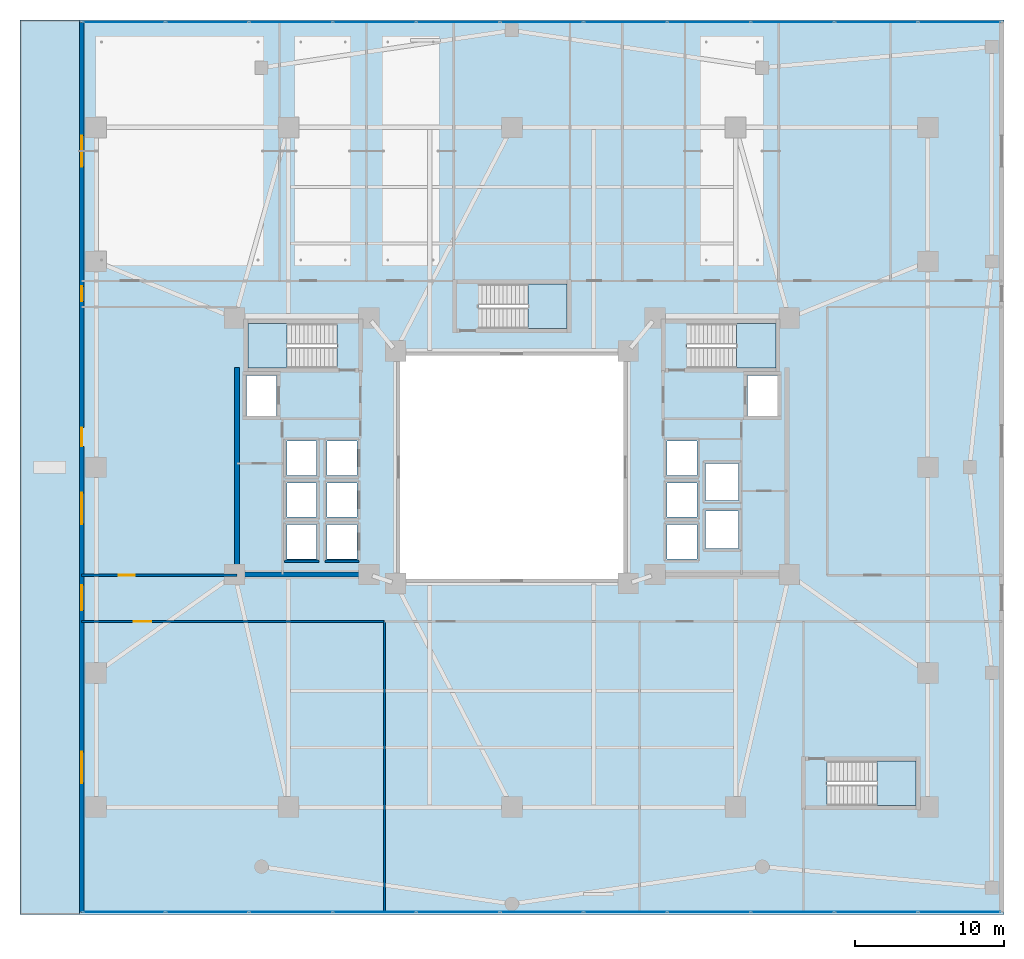
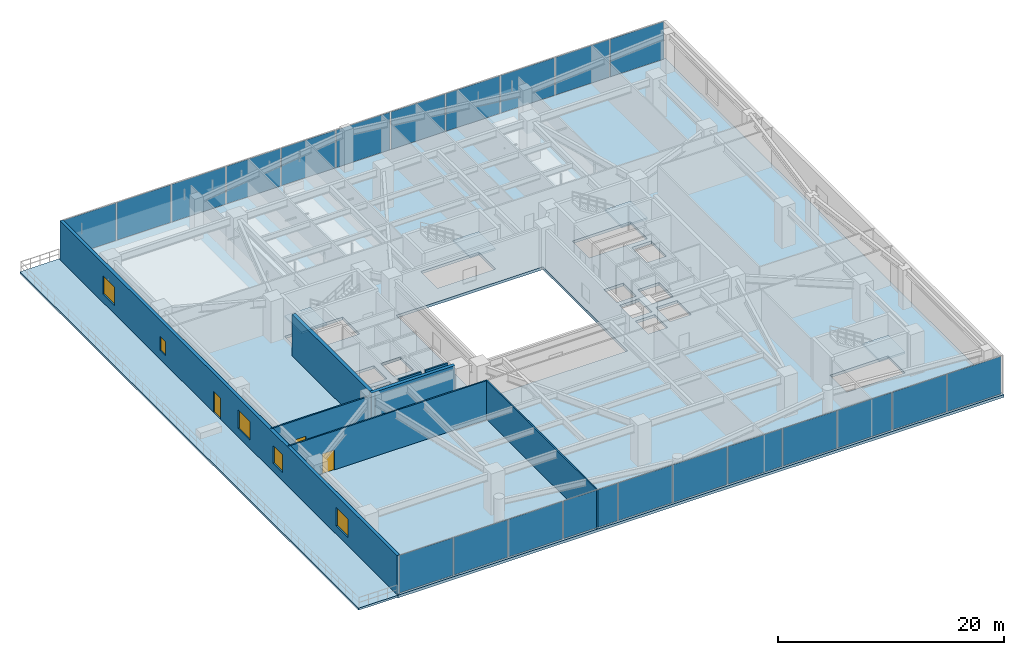
# One storey, part 18 of 29: 22 plates, 8 walls, 6 slabs, 5 windows, 3 doors, 8 openings, 6 elements without a shape of their own.
"""IFC4 building model written with IfcOpenShell, lengths in metres."""

from ifc_helpers import new_model, si_unit, direction, frame, frame_2d, origin, origin_2d, place, context, subcontext, project, spatial, polyline, rectangle, outline, extrude, material, layer, layer_set, type_object, element, fill, aggregate, save


model = new_model("IFC4")

# Units and contexts
model_context = context("Model", 3, precision=1e-05, world=origin(), true_north=direction((0.0, 1.0)))
body_context = subcontext(model_context, "Body", "Model", "MODEL_VIEW")
ifc_project = project(units=[si_unit("LENGTHUNIT", "METRE"), si_unit("AREAUNIT", "SQUARE_METRE"), si_unit("VOLUMEUNIT", "CUBIC_METRE"), si_unit("PLANEANGLEUNIT", "RADIAN"), si_unit("MASSUNIT", "GRAM", prefix="KILO")], contexts=[model_context])

# Site, building, storey
site_placement = place(None, origin())
site = spatial("IfcSite", under=ifc_project, at=site_placement, CompositionType="ELEMENT")
building_placement = place(site_placement, origin())
building = spatial("IfcBuilding", under=site, at=building_placement, Name="Tarnavaz Court Tower", CompositionType="ELEMENT")
storey_placement = place(building_placement, frame((0.0, 0.0, 5.39990234375)))
storey = spatial("IfcBuildingStorey", under=building, at=storey_placement, Name="L01", CompositionType="ELEMENT", Elevation=5.39990234375)

# Curtain wall, plates
ifc_material_1 = material(Name="Anodised Aluminium 6063-T6 and Solar Low-E Glazing", Category="aluminium")
ifc_layer_1 = layer(ifc_material_1, 0.18994140625)
ifc_layer_set_1 = layer_set([ifc_layer_1], Name="Anodised Aluminium 6063-T6 and Solar Low-E Glazing")
curtain_wall_type = type_object("IfcCurtainWallType", Name="CW-SYS-01", PredefinedType="NOTDEFINED", material=ifc_layer_set_1)
curtain_wall_1_placement = place(storey_placement, origin())
curtain_wall_1 = element("IfcCurtainWall", 1, at=curtain_wall_1_placement, inside=storey, type_object=curtain_wall_type, Name="L01 Clinic Podium Curtain Wall 1", PredefinedType="NOTDEFINED")
ifc_material_2 = material(Name="Double-Glazed Solar Low-E Glass", Category="glass")
ifc_layer_2 = layer(ifc_material_2, 0.028076171875)
ifc_layer_set_2 = layer_set([ifc_layer_2], Name="Double-Glazed Solar Low-E Glass")
plate_type = type_object("IfcPlateType", Name="CW-PAN-GLZ28", PredefinedType="CURTAIN_PANEL", material=ifc_layer_set_2)
plate_1_placement = place(storey_placement, frame((-26.024169921875, 29.85009765625, 0.06494140625), z_axis=(0.0, 0.0, 1.0), x_axis=(1.0, 0.0, 0.0)))
plate_1 = element("IfcPlate", 2, at=plate_1_placement, type_object=plate_type, Name="CW panel 1.1", PredefinedType="CURTAIN_PANEL", context=body_context, shape_type="SweptSolid", body=[
    extrude(rectangle(XDim=5.481689453125, YDim=0.028076171875, at=origin_2d()), origin(), (0.0, 0.0, 1.0), 4.070068359375),
])
plate_2_placement = place(storey_placement, frame((-20.436279296875, 29.85009765625, 0.06494140625), z_axis=(0.0, 0.0, 1.0), x_axis=(1.0, 0.0, 0.0)))
plate_2 = element("IfcPlate", 3, at=plate_2_placement, type_object=plate_type, Name="CW panel 2.1", PredefinedType="CURTAIN_PANEL", context=body_context, shape_type="SweptSolid", body=[
    extrude(rectangle(XDim=5.524169921875, YDim=0.028076171875, at=origin_2d()), origin(), (0.0, 0.0, 1.0), 4.070068359375),
])
plate_3_placement = place(storey_placement, frame((-14.827392578125, 29.85009765625, 0.06494140625), z_axis=(0.0, 0.0, 1.0), x_axis=(1.0, 0.0, 0.0)))
plate_3 = element("IfcPlate", 4, at=plate_3_placement, type_object=plate_type, Name="CW panel 3.1", PredefinedType="CURTAIN_PANEL", context=body_context, shape_type="SweptSolid", body=[
    extrude(rectangle(XDim=5.524169921875, YDim=0.028076171875, at=origin_2d()), origin(), (0.0, 0.0, 1.0), 4.070068359375),
])
plate_4_placement = place(storey_placement, frame((-9.21826171875, 29.85009765625, 0.06494140625), z_axis=(0.0, 0.0, 1.0), x_axis=(1.0, 0.0, 0.0)))
plate_4 = element("IfcPlate", 5, at=plate_4_placement, type_object=plate_type, Name="CW panel 4.1", PredefinedType="CURTAIN_PANEL", context=body_context, shape_type="SweptSolid", body=[
    extrude(rectangle(XDim=5.524169921875, YDim=0.028076171875, at=origin_2d()), origin(), (0.0, 0.0, 1.0), 4.070068359375),
])
plate_5_placement = place(storey_placement, frame((-3.609130859375, 29.85009765625, 0.06494140625), z_axis=(0.0, 0.0, 1.0), x_axis=(1.0, 0.0, 0.0)))
plate_5 = element("IfcPlate", 6, at=plate_5_placement, type_object=plate_type, Name="CW panel 5.1", PredefinedType="CURTAIN_PANEL", context=body_context, shape_type="SweptSolid", body=[
    extrude(rectangle(XDim=5.524169921875, YDim=0.028076171875, at=origin_2d()), origin(), (0.0, 0.0, 1.0), 4.070068359375),
])
plate_6_placement = place(storey_placement, frame((2.0, 29.85009765625, 0.06494140625), z_axis=(0.0, 0.0, 1.0), x_axis=(1.0, 0.0, 0.0)))
plate_6 = element("IfcPlate", 7, at=plate_6_placement, type_object=plate_type, Name="CW panel 6.1", PredefinedType="CURTAIN_PANEL", context=body_context, shape_type="SweptSolid", body=[
    extrude(rectangle(XDim=5.524169921875, YDim=0.028076171875, at=origin_2d()), origin(), (0.0, 0.0, 1.0), 4.070068359375),
])
plate_7_placement = place(storey_placement, frame((7.609130859375, 29.85009765625, 0.06494140625), z_axis=(0.0, 0.0, 1.0), x_axis=(1.0, 0.0, 0.0)))
plate_7 = element("IfcPlate", 8, at=plate_7_placement, type_object=plate_type, Name="CW panel 7.1", PredefinedType="CURTAIN_PANEL", context=body_context, shape_type="SweptSolid", body=[
    extrude(rectangle(XDim=5.524169921875, YDim=0.028076171875, at=origin_2d()), origin(), (0.0, 0.0, 1.0), 4.070068359375),
])
plate_8_placement = place(storey_placement, frame((13.21826171875, 29.85009765625, 0.06494140625), z_axis=(0.0, 0.0, 1.0), x_axis=(1.0, 0.0, 0.0)))
plate_8 = element("IfcPlate", 9, at=plate_8_placement, type_object=plate_type, Name="CW panel 8.1", PredefinedType="CURTAIN_PANEL", context=body_context, shape_type="SweptSolid", body=[
    extrude(rectangle(XDim=5.524169921875, YDim=0.028076171875, at=origin_2d()), origin(), (0.0, 0.0, 1.0), 4.070068359375),
])
plate_9_placement = place(storey_placement, frame((18.827392578125, 29.85009765625, 0.06494140625), z_axis=(0.0, 0.0, 1.0), x_axis=(1.0, 0.0, 0.0)))
plate_9 = element("IfcPlate", 10, at=plate_9_placement, type_object=plate_type, Name="CW panel 9.1", PredefinedType="CURTAIN_PANEL", context=body_context, shape_type="SweptSolid", body=[
    extrude(rectangle(XDim=5.524169921875, YDim=0.028076171875, at=origin_2d()), origin(), (0.0, 0.0, 1.0), 4.070068359375),
])
plate_10_placement = place(storey_placement, frame((24.436279296875, 29.85009765625, 0.06494140625), z_axis=(0.0, 0.0, 1.0), x_axis=(1.0, 0.0, 0.0)))
plate_10 = element("IfcPlate", 11, at=plate_10_placement, type_object=plate_type, Name="CW panel 10.1", PredefinedType="CURTAIN_PANEL", context=body_context, shape_type="SweptSolid", body=[
    extrude(rectangle(XDim=5.524169921875, YDim=0.028076171875, at=origin_2d()), origin(), (0.0, 0.0, 1.0), 4.070068359375),
])
plate_11_placement = place(storey_placement, frame((30.024169921875, 29.85009765625, 0.06494140625), z_axis=(0.0, 0.0, 1.0), x_axis=(1.0, 0.0, 0.0)))
plate_11 = element("IfcPlate", 12, at=plate_11_placement, type_object=plate_type, Name="CW panel 11.1", PredefinedType="CURTAIN_PANEL", context=body_context, shape_type="SweptSolid", body=[
    extrude(rectangle(XDim=5.481689453125, YDim=0.028076171875, at=origin_2d()), origin(), (0.0, 0.0, 1.0), 4.070068359375),
])
aggregate(curtain_wall_1, [plate_1, plate_2, plate_3, plate_4, plate_5, plate_6, plate_7, plate_8, plate_9, plate_10, plate_11])

curtain_wall_2_placement = place(storey_placement, origin())
curtain_wall_2 = element("IfcCurtainWall", 13, at=curtain_wall_2_placement, inside=storey, type_object=curtain_wall_type, Name="L01 Clinic South Curtain Wall 3", PredefinedType="NOTDEFINED")
plate_12_placement = place(storey_placement, frame((30.024169921875, -29.85009765625, 0.06494140625), z_axis=(0.0, 0.0, 1.0), x_axis=(-1.0, 0.0, 0.0)))
plate_12 = element("IfcPlate", 14, at=plate_12_placement, type_object=plate_type, Name="CW panel 1.1", PredefinedType="CURTAIN_PANEL", context=body_context, shape_type="SweptSolid", body=[
    extrude(rectangle(XDim=5.481689453125, YDim=0.028076171875, at=origin_2d()), origin(), (0.0, 0.0, 1.0), 4.070068359375),
])
plate_13_placement = place(storey_placement, frame((24.436279296875, -29.85009765625, 0.06494140625), z_axis=(0.0, 0.0, 1.0), x_axis=(-1.0, 0.0, 0.0)))
plate_13 = element("IfcPlate", 15, at=plate_13_placement, type_object=plate_type, Name="CW panel 2.1", PredefinedType="CURTAIN_PANEL", context=body_context, shape_type="SweptSolid", body=[
    extrude(rectangle(XDim=5.524169921875, YDim=0.028076171875, at=origin_2d()), origin(), (0.0, 0.0, 1.0), 4.070068359375),
])
plate_14_placement = place(storey_placement, frame((18.827392578125, -29.85009765625, 0.06494140625), z_axis=(0.0, 0.0, 1.0), x_axis=(-1.0, 0.0, 0.0)))
plate_14 = element("IfcPlate", 16, at=plate_14_placement, type_object=plate_type, Name="CW panel 3.1", PredefinedType="CURTAIN_PANEL", context=body_context, shape_type="SweptSolid", body=[
    extrude(rectangle(XDim=5.524169921875, YDim=0.028076171875, at=origin_2d()), origin(), (0.0, 0.0, 1.0), 4.070068359375),
])
plate_15_placement = place(storey_placement, frame((13.21826171875, -29.85009765625, 0.06494140625), z_axis=(0.0, 0.0, 1.0), x_axis=(-1.0, 0.0, 0.0)))
plate_15 = element("IfcPlate", 17, at=plate_15_placement, type_object=plate_type, Name="CW panel 4.1", PredefinedType="CURTAIN_PANEL", context=body_context, shape_type="SweptSolid", body=[
    extrude(rectangle(XDim=5.524169921875, YDim=0.028076171875, at=origin_2d()), origin(), (0.0, 0.0, 1.0), 4.070068359375),
])
plate_16_placement = place(storey_placement, frame((7.609130859375, -29.85009765625, 0.06494140625), z_axis=(0.0, 0.0, 1.0), x_axis=(-1.0, 0.0, 0.0)))
plate_16 = element("IfcPlate", 18, at=plate_16_placement, type_object=plate_type, Name="CW panel 5.1", PredefinedType="CURTAIN_PANEL", context=body_context, shape_type="SweptSolid", body=[
    extrude(rectangle(XDim=5.524169921875, YDim=0.028076171875, at=origin_2d()), origin(), (0.0, 0.0, 1.0), 4.070068359375),
])
plate_17_placement = place(storey_placement, frame((2.0, -29.85009765625, 0.06494140625), z_axis=(0.0, 0.0, 1.0), x_axis=(-1.0, 0.0, 0.0)))
plate_17 = element("IfcPlate", 19, at=plate_17_placement, type_object=plate_type, Name="CW panel 6.1", PredefinedType="CURTAIN_PANEL", context=body_context, shape_type="SweptSolid", body=[
    extrude(rectangle(XDim=5.524169921875, YDim=0.028076171875, at=origin_2d()), origin(), (0.0, 0.0, 1.0), 4.070068359375),
])
plate_18_placement = place(storey_placement, frame((-3.609130859375, -29.85009765625, 0.06494140625), z_axis=(0.0, 0.0, 1.0), x_axis=(-1.0, 0.0, 0.0)))
plate_18 = element("IfcPlate", 20, at=plate_18_placement, type_object=plate_type, Name="CW panel 7.1", PredefinedType="CURTAIN_PANEL", context=body_context, shape_type="SweptSolid", body=[
    extrude(rectangle(XDim=5.524169921875, YDim=0.028076171875, at=origin_2d()), origin(), (0.0, 0.0, 1.0), 4.070068359375),
])
plate_19_placement = place(storey_placement, frame((-9.21826171875, -29.85009765625, 0.06494140625), z_axis=(0.0, 0.0, 1.0), x_axis=(-1.0, 0.0, 0.0)))
plate_19 = element("IfcPlate", 21, at=plate_19_placement, type_object=plate_type, Name="CW panel 8.1", PredefinedType="CURTAIN_PANEL", context=body_context, shape_type="SweptSolid", body=[
    extrude(rectangle(XDim=5.524169921875, YDim=0.028076171875, at=origin_2d()), origin(), (0.0, 0.0, 1.0), 4.070068359375),
])
plate_20_placement = place(storey_placement, frame((-14.827392578125, -29.85009765625, 0.06494140625), z_axis=(0.0, 0.0, 1.0), x_axis=(-1.0, 0.0, 0.0)))
plate_20 = element("IfcPlate", 22, at=plate_20_placement, type_object=plate_type, Name="CW panel 9.1", PredefinedType="CURTAIN_PANEL", context=body_context, shape_type="SweptSolid", body=[
    extrude(rectangle(XDim=5.524169921875, YDim=0.028076171875, at=origin_2d()), origin(), (0.0, 0.0, 1.0), 4.070068359375),
])
plate_21_placement = place(storey_placement, frame((-20.436279296875, -29.85009765625, 0.06494140625), z_axis=(0.0, 0.0, 1.0), x_axis=(-1.0, 0.0, 0.0)))
plate_21 = element("IfcPlate", 23, at=plate_21_placement, type_object=plate_type, Name="CW panel 10.1", PredefinedType="CURTAIN_PANEL", context=body_context, shape_type="SweptSolid", body=[
    extrude(rectangle(XDim=5.524169921875, YDim=0.028076171875, at=origin_2d()), origin(), (0.0, 0.0, 1.0), 4.070068359375),
])
plate_22_placement = place(storey_placement, frame((-26.024169921875, -29.85009765625, 0.06494140625), z_axis=(0.0, 0.0, 1.0), x_axis=(-1.0, 0.0, 0.0)))
plate_22 = element("IfcPlate", 24, at=plate_22_placement, type_object=plate_type, Name="CW panel 11.1", PredefinedType="CURTAIN_PANEL", context=body_context, shape_type="SweptSolid", body=[
    extrude(rectangle(XDim=5.481689453125, YDim=0.028076171875, at=origin_2d()), origin(), (0.0, 0.0, 1.0), 4.070068359375),
])
aggregate(curtain_wall_2, [plate_12, plate_13, plate_14, plate_15, plate_16, plate_17, plate_18, plate_19, plate_20, plate_21, plate_22])

# Stair, slab
ifc_material_3 = material(Name="Concrete C40/50", Category="concrete")
stair_type = type_object("IfcStairType", Name="ST-TWR-26R", PredefinedType="HALF_TURN_STAIR", material=ifc_material_3)
stair_1_placement = place(storey_placement, origin())
stair_1 = element("IfcStair", 25, at=stair_1_placement, inside=storey, type_object=stair_type, Name="L01 West Core Pressurized Exit Stair ST-W1", PredefinedType="HALF_TURN_STAIR")
ifc_layer_3 = layer(ifc_material_3, 0.199951171875)
ifc_layer_set_3 = layer_set([ifc_layer_3], Name="Concrete C40/50")
slab_type_1 = type_object("IfcSlabType", Name="SL-LAND-200", PredefinedType="LANDING", material=ifc_layer_set_3)
slab_1_placement = place(storey_placement, frame((0.0, 0.0, 2.050048828125)))
slab_1 = element("IfcSlab", 26, at=slab_1_placement, type_object=slab_type_1, Name="ST-W1 landing 1", PredefinedType="LANDING", context=body_context, shape_type="SweptSolid", body=[
    extrude(outline(polyline([(-15.080078125, 9.639892578125), (-17.699951171875, 9.639892578125), (-17.699951171875, 6.64990234375), (-15.080078125, 6.64990234375), (-15.080078125, 9.639892578125)])), origin(), (0.0, 0.0, 1.0), 0.199951171875),
])
aggregate(stair_1, [slab_1])

stair_2_placement = place(storey_placement, origin())
stair_2 = element("IfcStair", 27, at=stair_2_placement, inside=storey, type_object=stair_type, Name="L01 East Core Pressurized Exit Stair ST-E1", PredefinedType="HALF_TURN_STAIR")
slab_2_placement = place(storey_placement, frame((0.0, 0.0, 2.050048828125)))
slab_2 = element("IfcSlab", 28, at=slab_2_placement, type_object=slab_type_1, Name="ST-E1 landing 1", PredefinedType="LANDING", context=body_context, shape_type="SweptSolid", body=[
    extrude(outline(polyline([(15.080078125, 6.64990234375), (17.699951171875, 6.64990234375), (17.699951171875, 9.639892578125), (15.080078125, 9.639892578125), (15.080078125, 6.64990234375)])), origin(), (0.0, 0.0, 1.0), 0.199951171875),
])
aggregate(stair_2, [slab_2])

stair_3_placement = place(storey_placement, origin())
stair_3 = element("IfcStair", 29, at=stair_3_placement, inside=storey, type_object=stair_type, Name="L01 North Ring Pressurized Exit Stair ST-N1", PredefinedType="HALF_TURN_STAIR")
slab_3_placement = place(storey_placement, frame((0.0, 0.0, 2.050048828125)))
slab_3 = element("IfcSlab", 30, at=slab_3_placement, type_object=slab_type_1, Name="ST-N1 landing 1", PredefinedType="LANDING", context=body_context, shape_type="SweptSolid", body=[
    extrude(outline(polyline([(1.080078125, 9.300048828125), (3.699951171875, 9.300048828125), (3.699951171875, 12.2900390625), (1.080078125, 12.2900390625), (1.080078125, 9.300048828125)])), origin(), (0.0, 0.0, 1.0), 0.199951171875),
])
aggregate(stair_3, [slab_3])

stair_4_placement = place(storey_placement, origin())
stair_4 = element("IfcStair", 31, at=stair_4_placement, inside=storey, type_object=stair_type, Name="L01 Podium Clinic Exit Stair ST-P1", PredefinedType="HALF_TURN_STAIR")
slab_4_placement = place(storey_placement, frame((0.0, 0.0, 2.050048828125)))
slab_4 = element("IfcSlab", 32, at=slab_4_placement, type_object=slab_type_1, Name="ST-P1 landing 1", PredefinedType="LANDING", context=body_context, shape_type="SweptSolid", body=[
    extrude(outline(polyline([(24.47998046875, -22.699951171875), (27.10009765625, -22.699951171875), (27.10009765625, -19.7099609375), (24.47998046875, -19.7099609375), (24.47998046875, -22.699951171875)])), origin(), (0.0, 0.0, 1.0), 0.199951171875),
])
aggregate(stair_4, [slab_4])

# Slabs
ifc_layer_4 = layer(ifc_material_3, 0.300048828125)
ifc_layer_set_4 = layer_set([ifc_layer_4], Name="Concrete C40/50")
slab_type_2 = type_object("IfcSlabType", Name="SL-POD-300", PredefinedType="FLOOR", material=ifc_layer_set_4)
slab_5_placement = place(storey_placement, frame((0.0, 0.0, -0.2998046875)))
element("IfcSlab", 33, at=slab_5_placement, inside=storey, type_object=slab_type_2, Name="L01 Structural Floor Slab", PredefinedType="FLOOR", context=body_context, shape_type="SweptSolid", body=[
    extrude(outline(polyline([(-29.0, -30.0), (33.0, -30.0), (33.0, 30.0), (-29.0, 30.0), (-29.0, -30.0)]), holes=[polyline([(-7.5, -7.5), (7.5, -7.5), (7.5, 7.5), (-7.5, 7.5), (-7.5, -7.5)]), polyline([(-11.7451171875, 9.639892578125), (-17.699951171875, 9.639892578125), (-17.699951171875, 6.64990234375), (-11.7451171875, 6.64990234375), (-11.7451171875, 9.639892578125)]), polyline([(11.7451171875, 6.64990234375), (17.699951171875, 6.64990234375), (17.699951171875, 9.639892578125), (11.7451171875, 9.639892578125), (11.7451171875, 6.64990234375)]), polyline([(-2.2548828125, 9.300048828125), (3.699951171875, 9.300048828125), (3.699951171875, 12.2900390625), (-2.2548828125, 12.2900390625), (-2.2548828125, 9.300048828125)]), polyline([(21.14501953125, -22.699951171875), (27.10009765625, -22.699951171875), (27.10009765625, -19.7099609375), (21.14501953125, -19.7099609375), (21.14501953125, -22.699951171875)]), polyline([(-17.800048828125, 3.449951171875), (-15.800048828125, 3.449951171875), (-15.800048828125, 6.14990234375), (-17.800048828125, 6.14990234375), (-17.800048828125, 3.449951171875)]), polyline([(-12.39990234375, -6.14990234375), (-10.39990234375, -6.14990234375), (-10.39990234375, -3.85009765625), (-12.39990234375, -3.85009765625), (-12.39990234375, -6.14990234375)]), polyline([(-12.39990234375, -3.35009765625), (-10.39990234375, -3.35009765625), (-10.39990234375, -1.050048828125), (-12.39990234375, -1.050048828125), (-12.39990234375, -3.35009765625)]), polyline([(-12.39990234375, -0.550048828125), (-10.39990234375, -0.550048828125), (-10.39990234375, 1.75), (-12.39990234375, 1.75), (-12.39990234375, -0.550048828125)]), polyline([(-15.10009765625, -6.14990234375), (-13.10009765625, -6.14990234375), (-13.10009765625, -3.85009765625), (-15.10009765625, -3.85009765625), (-15.10009765625, -6.14990234375)]), polyline([(-15.10009765625, -3.35009765625), (-13.10009765625, -3.35009765625), (-13.10009765625, -1.050048828125), (-15.10009765625, -1.050048828125), (-15.10009765625, -3.35009765625)]), polyline([(-15.10009765625, -0.550048828125), (-13.10009765625, -0.550048828125), (-13.10009765625, 1.75), (-15.10009765625, 1.75), (-15.10009765625, -0.550048828125)]), polyline([(15.800048828125, 3.449951171875), (17.800048828125, 3.449951171875), (17.800048828125, 6.14990234375), (15.800048828125, 6.14990234375), (15.800048828125, 3.449951171875)]), polyline([(10.39990234375, -6.14990234375), (12.39990234375, -6.14990234375), (12.39990234375, -3.85009765625), (10.39990234375, -3.85009765625), (10.39990234375, -6.14990234375)]), polyline([(10.39990234375, -3.35009765625), (12.39990234375, -3.35009765625), (12.39990234375, -1.050048828125), (10.39990234375, -1.050048828125), (10.39990234375, -3.35009765625)]), polyline([(10.39990234375, -0.550048828125), (12.39990234375, -0.550048828125), (12.39990234375, 1.75), (10.39990234375, 1.75), (10.39990234375, -0.550048828125)]), polyline([(13.0, -5.449951171875), (15.199951171875, -5.449951171875), (15.199951171875, -2.949951171875), (13.0, -2.949951171875), (13.0, -5.449951171875)]), polyline([(13.0, -2.25), (15.199951171875, -2.25), (15.199951171875, 0.25), (13.0, 0.25), (13.0, -2.25)])]), origin(), (0.0, 0.0, 1.0), 0.2998046875),
])
ifc_layer_5 = layer(ifc_material_3, 0.219970703125)
ifc_layer_set_5 = layer_set([ifc_layer_5], Name="Concrete C40/50")
slab_type_3 = type_object("IfcSlabType", Name="SL-TERR-220", PredefinedType="FLOOR", material=ifc_layer_set_5)
slab_6_placement = place(storey_placement, frame((0.0, 0.0, -0.219970703125)))
element("IfcSlab", 34, at=slab_6_placement, inside=storey, type_object=slab_type_3, Name="L01 West Chahar-Bagh Clinic Terrace", PredefinedType="FLOOR", context=body_context, shape_type="SweptSolid", body=[
    extrude(outline(polyline([(-33.0, -30.0), (-29.0, -30.0), (-29.0, 30.0), (-33.0, 30.0), (-33.0, -30.0)])), origin(), (0.0, 0.0, 1.0), 0.219970703125),
])

# Walls
ifc_material_4 = material(Name="Concrete C60/75", Category="concrete")
ifc_layer_6 = layer(ifc_material_4, 0.35009765625)
ifc_layer_set_6 = layer_set([ifc_layer_6], Name="Concrete C60/75")
wall_type_1 = type_object("IfcWallType", Name="WL-CORE-350-C60", PredefinedType="SHEAR", material=ifc_layer_set_6)
wall_1_placement = place(storey_placement, frame((-18.449951171875, -7.375, 0.0), z_axis=(0.0, 0.0, 1.0), x_axis=(0.0, 1.0, 0.0)))
element("IfcWall", 35, at=wall_1_placement, inside=storey, type_object=wall_type_1, Name="L01 West Core Shear Wall 073", PredefinedType="SHEAR", context=body_context, shape_type="SweptSolid", body=[
    extrude(rectangle(XDim=14.050048828125, YDim=0.35009765625, at=frame_2d((7.02490234375, 0.0))), origin(), (0.0, 0.0, 1.0), 4.5),
])
wall_2_placement = place(storey_placement, frame((-18.625, -7.199951171875, 0.0), z_axis=(0.0, 0.0, 1.0), x_axis=(1.0, 0.0, 0.0)))
element("IfcWall", 36, at=wall_2_placement, inside=storey, type_object=wall_type_1, Name="L01 West Core South Shear Wall 074", PredefinedType="SHEAR", context=body_context, shape_type="SweptSolid", body=[
    extrude(rectangle(XDim=8.550048828125, YDim=0.35009765625, at=frame_2d((4.27490234375, 0.0))), origin(), (0.0, 0.0, 1.0), 4.5),
])

# Wall, openings, door, windows
ifc_material_5 = material(Name="Precast Concrete C40/50", Category="concrete")
ifc_layer_7 = layer(ifc_material_5, 0.320068359375)
ifc_layer_set_7 = layer_set([ifc_layer_7], Name="Precast Concrete C40/50")
wall_type_2 = type_object("IfcWallType", Name="WL-EXT-320", PredefinedType="SOLIDWALL", material=ifc_layer_set_7)
wall_3_placement = place(storey_placement, frame((-28.85009765625, -29.85009765625, 0.0), z_axis=(0.0, 0.0, 1.0), x_axis=(0.0, 1.0, 0.0)))
wall_3 = element("IfcWall", 37, at=wall_3_placement, inside=storey, type_object=wall_type_2, Name="L01 Exterior Terracotta Facade Wall 04", PredefinedType="SOLIDWALL", context=body_context, shape_type="SweptSolid", body=[
    extrude(rectangle(XDim=59.7001953125, YDim=0.320068359375, at=frame_2d((29.85009765625, 0.0))), origin(), (0.0, 0.0, 1.0), 4.2001953125),
])
opening_1_placement = place(wall_3_placement, frame((31.25, 0.0, 0.0)))
opening_1 = element("IfcOpeningElement", 38, at=opening_1_placement, cuts=wall_3, Name="Opening TD2", PredefinedType="OPENING", context=body_context, shape_type="SweptSolid", body=[
    extrude(rectangle(XDim=1.25, YDim=2.25, at=frame_2d((0.625, 1.125))), frame((0.0, 0.169921875, 0.0), z_axis=(0.0, -1.0, 0.0), x_axis=(1.0, 0.0, 0.0)), (0.0, 0.0, 1.0), 0.340087890625),
])
opening_2_placement = place(wall_3_placement, frame((8.64990234375, 0.0, 0.89990234375)))
opening_2 = element("IfcOpeningElement", 39, at=opening_2_placement, cuts=wall_3, Name="Opening W09", PredefinedType="OPENING", context=body_context, shape_type="SweptSolid", body=[
    extrude(rectangle(XDim=2.10009765625, YDim=2.0, at=frame_2d((1.050048828125, 1.0))), frame((0.0, 0.169921875, 0.0), z_axis=(0.0, -1.0, 0.0), x_axis=(1.0, 0.0, 0.0)), (0.0, 0.0, 1.0), 0.340087890625),
])
opening_3_placement = place(wall_3_placement, frame((20.242431640625, 0.0, 0.89990234375)))
opening_3 = element("IfcOpeningElement", 40, at=opening_3_placement, cuts=wall_3, Name="Opening W10", PredefinedType="OPENING", context=body_context, shape_type="SweptSolid", body=[
    extrude(rectangle(XDim=1.699951171875, YDim=1.89990234375, at=frame_2d((0.85009765625, 0.949951171875))), frame((0.0, 0.169921875, 0.0), z_axis=(0.0, -1.0, 0.0), x_axis=(1.0, 0.0, 0.0)), (0.0, 0.0, 1.0), 0.340087890625),
])
opening_4_placement = place(wall_3_placement, frame((26.030029296875, 0.0, 0.89990234375)))
opening_4 = element("IfcOpeningElement", 41, at=opening_4_placement, cuts=wall_3, Name="Opening W09", PredefinedType="OPENING", context=body_context, shape_type="SweptSolid", body=[
    extrude(rectangle(XDim=2.10009765625, YDim=2.0, at=frame_2d((1.050048828125, 1.0))), frame((0.0, 0.169921875, 0.0), z_axis=(0.0, -1.0, 0.0), x_axis=(1.0, 0.0, 0.0)), (0.0, 0.0, 1.0), 0.340087890625),
])
opening_5_placement = place(wall_3_placement, frame((40.97509765625, 0.0, 0.949951171875)))
opening_5 = element("IfcOpeningElement", 42, at=opening_5_placement, cuts=wall_3, Name="Opening W14", PredefinedType="OPENING", context=body_context, shape_type="SweptSolid", body=[
    extrude(rectangle(XDim=1.0, YDim=1.5, at=frame_2d((0.5, 0.75))), frame((0.0, 0.169921875, 0.0), z_axis=(0.0, -1.0, 0.0), x_axis=(1.0, 0.0, 0.0)), (0.0, 0.0, 1.0), 0.340087890625),
])
opening_6_placement = place(wall_3_placement, frame((50.0, 0.0, 0.89990234375)))
opening_6 = element("IfcOpeningElement", 43, at=opening_6_placement, cuts=wall_3, Name="Opening W09", PredefinedType="OPENING", context=body_context, shape_type="SweptSolid", body=[
    extrude(rectangle(XDim=2.10009765625, YDim=2.0, at=frame_2d((1.050048828125, 1.0))), frame((0.0, 0.169921875, 0.0), z_axis=(0.0, -1.0, 0.0), x_axis=(1.0, 0.0, 0.0)), (0.0, 0.0, 1.0), 0.340087890625),
])
ifc_material_6 = material(Name="Thermally Broken Aluminium and Laminated Glass", Category="aluminium")
door_type_1 = type_object("IfcDoorType", Name="DR-TERR-1250", OperationType="NOTDEFINED", PredefinedType="DOOR", material=ifc_material_6)
door_1_placement = place(opening_1_placement, origin())
door_1 = element("IfcDoor", 44, at=door_1_placement, inside=storey, type_object=door_type_1, Name="L01 Sky Terrace Access Door 1", OperationType="SINGLE_SWING_LEFT", OverallHeight=2.25, OverallWidth=1.25, PredefinedType="DOOR", context=body_context, shape_type="SweptSolid", body=[
    extrude(rectangle(XDim=1.25, YDim=2.25, at=frame_2d((0.625, 1.125))), frame((0.0, 0.02490234375, 0.0), z_axis=(0.0, -1.0, 0.0), x_axis=(1.0, 0.0, 0.0)), (0.0, 0.0, 1.0), 0.050048828125),
])
fill(opening_1, door_1)
window_type_1 = type_object("IfcWindowType", Name="WN-APT-1000", PartitioningType="SINGLE_PANEL", PredefinedType="WINDOW", material=ifc_material_2)
window_1_placement = place(opening_5_placement, origin())
window_1 = element("IfcWindow", 45, at=window_1_placement, inside=storey, type_object=window_type_1, Name="L01 North-West Wing Corridor Window", OverallHeight=1.5, OverallWidth=1.0, PartitioningType="SINGLE_PANEL", PredefinedType="WINDOW", context=body_context, shape_type="SweptSolid", body=[
    extrude(rectangle(XDim=1.0, YDim=1.5, at=frame_2d((0.5, 0.75))), frame((0.0, 0.030029296875, 0.0), z_axis=(0.0, -1.0, 0.0), x_axis=(1.0, 0.0, 0.0)), (0.0, 0.0, 1.0), 0.06005859375),
])
fill(opening_5, window_1)
window_type_2 = type_object("IfcWindowType", Name="WN-CLN-1700", PartitioningType="DOUBLE_PANEL_VERTICAL", PredefinedType="WINDOW", material=ifc_material_2)
window_2_placement = place(opening_3_placement, origin())
window_2 = element("IfcWindow", 46, at=window_2_placement, inside=storey, type_object=window_type_2, Name="L01 South-West Wing Corridor Window", OverallHeight=1.89990234375, OverallWidth=1.699951171875, PartitioningType="SINGLE_PANEL", PredefinedType="WINDOW", context=body_context, shape_type="SweptSolid", body=[
    extrude(rectangle(XDim=1.699951171875, YDim=1.89990234375, at=frame_2d((0.85009765625, 0.949951171875))), frame((0.0, 0.030029296875, 0.0), z_axis=(0.0, -1.0, 0.0), x_axis=(1.0, 0.0, 0.0)), (0.0, 0.0, 1.0), 0.06005859375),
])
fill(opening_3, window_2)
window_type_3 = type_object("IfcWindowType", Name="WN-CLN-2100", PartitioningType="DOUBLE_PANEL_VERTICAL", PredefinedType="WINDOW", material=ifc_material_2)
window_3_placement = place(opening_2_placement, origin())
window_3 = element("IfcWindow", 47, at=window_3_placement, inside=storey, type_object=window_type_3, Name="L01 L01 West Terrace Waiting Lounge Window", OverallHeight=2.0, OverallWidth=2.10009765625, PartitioningType="SINGLE_PANEL", PredefinedType="WINDOW", context=body_context, shape_type="SweptSolid", body=[
    extrude(rectangle(XDim=2.10009765625, YDim=2.0, at=frame_2d((1.050048828125, 1.0))), frame((0.0, 0.030029296875, 0.0), z_axis=(0.0, -1.0, 0.0), x_axis=(1.0, 0.0, 0.0)), (0.0, 0.0, 1.0), 0.06005859375),
])
fill(opening_2, window_3)
window_4_placement = place(opening_4_placement, origin())
window_4 = element("IfcWindow", 48, at=window_4_placement, inside=storey, type_object=window_type_3, Name="L01 L01 West Chahar-Bagh Clinical Lounge Window", OverallHeight=2.0, OverallWidth=2.10009765625, PartitioningType="SINGLE_PANEL", PredefinedType="WINDOW", context=body_context, shape_type="SweptSolid", body=[
    extrude(rectangle(XDim=2.10009765625, YDim=2.0, at=frame_2d((1.050048828125, 1.0))), frame((0.0, 0.030029296875, 0.0), z_axis=(0.0, -1.0, 0.0), x_axis=(1.0, 0.0, 0.0)), (0.0, 0.0, 1.0), 0.06005859375),
])
fill(opening_4, window_4)
window_5_placement = place(opening_6_placement, origin())
window_5 = element("IfcWindow", 49, at=window_5_placement, inside=storey, type_object=window_type_3, Name="L01 Outpatient Clinical Waiting Lounge West Window", OverallHeight=2.0, OverallWidth=2.10009765625, PartitioningType="SINGLE_PANEL", PredefinedType="WINDOW", context=body_context, shape_type="SweptSolid", body=[
    extrude(rectangle(XDim=2.10009765625, YDim=2.0, at=frame_2d((1.050048828125, 1.0))), frame((0.0, 0.030029296875, 0.0), z_axis=(0.0, -1.0, 0.0), x_axis=(1.0, 0.0, 0.0)), (0.0, 0.0, 1.0), 0.06005859375),
])
fill(opening_6, window_5)

# Wall, opening, door
ifc_material_7 = material(Name="Gypsum Fire-Board on Acoustic Metal Stud", Category="masonry")
ifc_layer_8 = layer(ifc_material_7, 0.14990234375)
ifc_layer_set_8 = layer_set([ifc_layer_8], Name="Gypsum Fire-Board on Acoustic Metal Stud")
wall_type_3 = type_object("IfcWallType", Name="WL-FIRE-150", PredefinedType="PARTITIONING", material=ifc_layer_set_8)
wall_4_placement = place(storey_placement, frame((-28.8798828125, -10.35009765625, 0.0), z_axis=(0.0, 0.0, 1.0), x_axis=(1.0, 0.0, 0.0)))
wall_4 = element("IfcWall", 50, at=wall_4_placement, inside=storey, type_object=wall_type_3, Name="L01 SW Corridor Wall 088", PredefinedType="PARTITIONING", context=body_context, shape_type="SweptSolid", body=[
    extrude(rectangle(XDim=20.329833984375, YDim=0.14990234375, at=frame_2d((10.1650390625, 0.0))), origin(), (0.0, 0.0, 1.0), 4.2001953125),
])
opening_7_placement = place(wall_4_placement, frame((3.5, 0.0, 0.0)))
opening_7 = element("IfcOpeningElement", 51, at=opening_7_placement, cuts=wall_4, Name="Opening D11", PredefinedType="OPENING", context=body_context, shape_type="SweptSolid", body=[
    extrude(rectangle(XDim=1.199951171875, YDim=2.14990234375, at=frame_2d((0.60009765625, 1.074951171875))), frame((0.0, 0.0849609375, 0.0), z_axis=(0.0, -1.0, 0.0), x_axis=(1.0, 0.0, 0.0)), (0.0, 0.0, 1.0), 0.169921875),
])
ifc_material_8 = material(Name="Engineered Oak Timber", Category="wood")
door_type_2 = type_object("IfcDoorType", Name="DR-INT-1200", OperationType="NOTDEFINED", PredefinedType="DOOR", material=ifc_material_8)
door_2_placement = place(opening_7_placement, origin())
door_2 = element("IfcDoor", 52, at=door_2_placement, inside=storey, type_object=door_type_2, Name="L01 West Terrace Lounge Door", OperationType="SINGLE_SWING_RIGHT", OverallHeight=2.14990234375, OverallWidth=1.199951171875, PredefinedType="DOOR", context=body_context, shape_type="SweptSolid", body=[
    extrude(rectangle(XDim=1.199951171875, YDim=2.14990234375, at=frame_2d((0.60009765625, 1.074951171875))), frame((0.0, 0.02490234375, 0.0), z_axis=(0.0, -1.0, 0.0), x_axis=(1.0, 0.0, 0.0)), (0.0, 0.0, 1.0), 0.050048828125),
])
fill(opening_7, door_2)

wall_5_placement = place(storey_placement, frame((-28.8798828125, -7.25, 0.0), z_axis=(0.0, 0.0, 1.0), x_axis=(1.0, 0.0, 0.0)))
wall_5 = element("IfcWall", 53, at=wall_5_placement, inside=storey, type_object=wall_type_3, Name="L01 Interior Partition 103", PredefinedType="PARTITIONING", context=body_context, shape_type="SweptSolid", body=[
    extrude(rectangle(XDim=10.429931640625, YDim=0.14990234375, at=frame_2d((5.21484375, 0.0))), origin(), (0.0, 0.0, 1.0), 4.2001953125),
])
opening_8_placement = place(wall_5_placement, frame((2.5, 0.0, 0.0)))
opening_8 = element("IfcOpeningElement", 54, at=opening_8_placement, cuts=wall_5, Name="Opening D12", PredefinedType="OPENING", context=body_context, shape_type="SweptSolid", body=[
    extrude(rectangle(XDim=1.080078125, YDim=2.14990234375, at=frame_2d((0.5400390625, 1.074951171875))), frame((0.0, 0.0849609375, 0.0), z_axis=(0.0, -1.0, 0.0), x_axis=(1.0, 0.0, 0.0)), (0.0, 0.0, 1.0), 0.169921875),
])
door_type_3 = type_object("IfcDoorType", Name="DR-INT-1100", OperationType="NOTDEFINED", PredefinedType="DOOR", material=ifc_material_8)
door_3_placement = place(opening_8_placement, origin())
door_3 = element("IfcDoor", 55, at=door_3_placement, inside=storey, type_object=door_type_3, Name="L01 West Clinical Lounge Door", OperationType="SINGLE_SWING_LEFT", OverallHeight=2.14990234375, OverallWidth=1.080078125, PredefinedType="DOOR", context=body_context, shape_type="SweptSolid", body=[
    extrude(rectangle(XDim=1.080078125, YDim=2.14990234375, at=frame_2d((0.5400390625, 1.074951171875))), frame((0.0, 0.02490234375, 0.0), z_axis=(0.0, -1.0, 0.0), x_axis=(1.0, 0.0, 0.0)), (0.0, 0.0, 1.0), 0.050048828125),
])
fill(opening_8, door_3)

# Walls
ifc_material_9 = material(Name="Gypsum Plasterboard Acoustic Partition", Category="masonry")
ifc_layer_9 = layer(ifc_material_9, 0.139892578125)
ifc_layer_set_9 = layer_set([ifc_layer_9], Name="Gypsum Plasterboard Acoustic Partition")
wall_type_4 = type_object("IfcWallType", Name="WL-PART-150", PredefinedType="PARTITIONING", material=ifc_layer_set_9)
wall_6_placement = place(storey_placement, frame((-8.550048828125, -29.8798828125, 0.0), z_axis=(0.0, 0.0, 1.0), x_axis=(0.0, 1.0, 0.0)))
element("IfcWall", 56, at=wall_6_placement, inside=storey, type_object=wall_type_4, Name="L01 Interior Partition 099", PredefinedType="PARTITIONING", context=body_context, shape_type="SweptSolid", body=[
    extrude(rectangle(XDim=19.52978515625, YDim=0.139892578125, at=frame_2d((9.764892578125, 0.0))), origin(), (0.0, 0.0, 1.0), 4.2001953125),
])
ifc_material_10 = material(Name="Autoclaved Aerated Concrete Blockwork", Category="masonry")
ifc_layer_10 = layer(ifc_material_10, 0.159912109375)
ifc_layer_set_10 = layer_set([ifc_layer_10], Name="Autoclaved Aerated Concrete Blockwork")
wall_type_5 = type_object("IfcWallType", Name="WL-SHAFT-150", PredefinedType="SOLIDWALL", material=ifc_layer_set_10)
for number, where, z_axis, x_axis, name in (
    (57, (-12.550048828125, -6.300048828125, 0.0), (0.0, 0.0, 1.0), (1.0, 0.0, 0.0), "L01 Lift PL-L1 Shaft Wall 027"),
    (58, (-15.25, -6.300048828125, 0.0), (0.0, 0.0, 1.0), (1.0, 0.0, 0.0), "L01 Lift PL-H1 Shaft Wall 039"),
):
    element("IfcWall", number, at=place(storey_placement, frame(where, z_axis=z_axis, x_axis=x_axis)), inside=storey, type_object=wall_type_5, Name=name, PredefinedType="SOLIDWALL", context=body_context, shape_type="SweptSolid", body=[
        extrude(rectangle(XDim=2.300048828125, YDim=0.159912109375, at=frame_2d((1.14990234375, 0.0))), origin(), (0.0, 0.0, 1.0), 4.2001953125),
    ])

save(model, "model.ifc")
